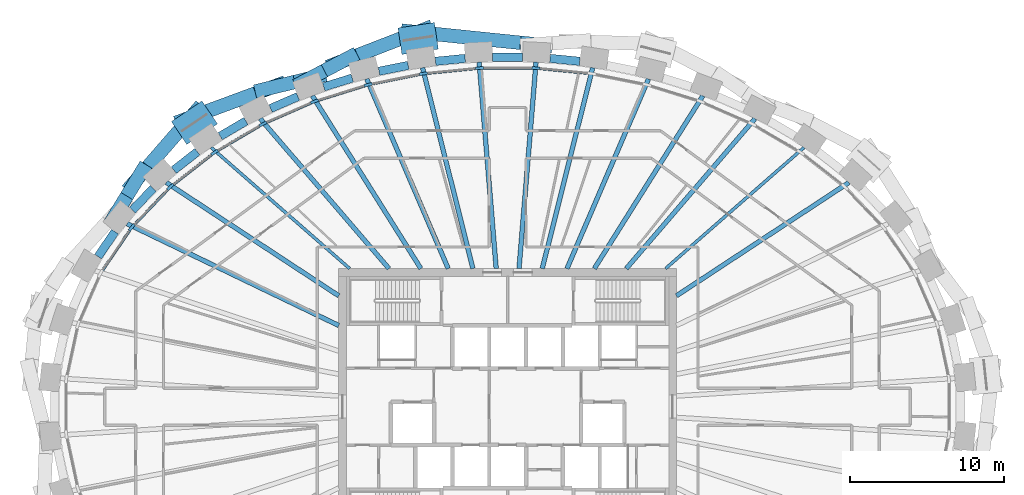
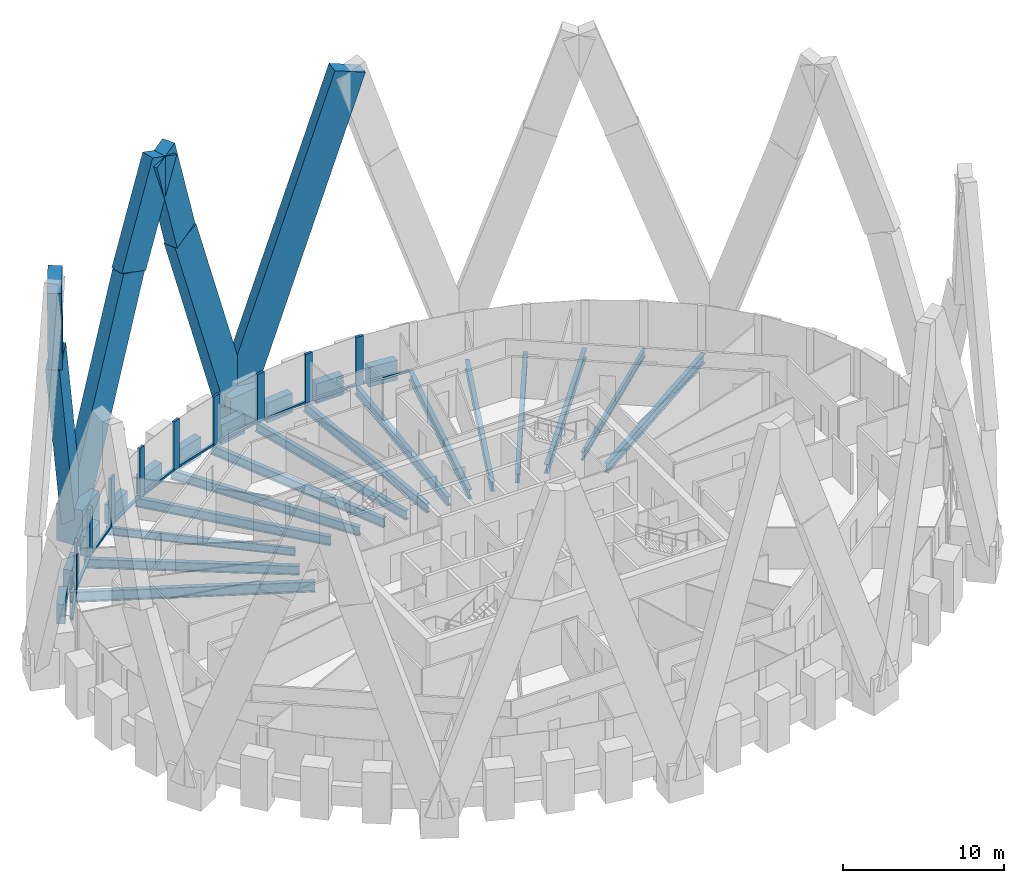
# One storey, part 4 of 13: 28 members, 25 beams, 1 element without a shape of its own.
"""IFC4 building model written with IfcOpenShell, lengths in metres."""

from ifc_helpers import new_model, si_unit, direction, frame, origin, origin_2d, place, context, subcontext, project, spatial, rectangle, i_section, extrude, source, transform, mapped, material, material_profile, profile_set, type_object, element, aggregate, save


model = new_model("IFC4")

# Units and contexts
model_context = context("Model", 3, precision=1e-05, world=origin(), true_north=direction((0.0, 1.0)))
body_context = subcontext(model_context, "Body", "Model", "MODEL_VIEW")
ifc_project = project(units=[si_unit("LENGTHUNIT", "METRE"), si_unit("AREAUNIT", "SQUARE_METRE"), si_unit("VOLUMEUNIT", "CUBIC_METRE"), si_unit("PLANEANGLEUNIT", "RADIAN"), si_unit("MASSUNIT", "GRAM", prefix="KILO")], contexts=[model_context])

# Site, building, storey
site_placement = place(None, origin())
site = spatial("IfcSite", under=ifc_project, at=site_placement, CompositionType="ELEMENT")
building_placement = place(site_placement, origin())
building = spatial("IfcBuilding", under=site, at=building_placement, Name="Embergate Tower", CompositionType="ELEMENT")
storey_placement = place(building_placement, frame((0.0, 0.0, 316.89990234375)))
storey = spatial("IfcBuildingStorey", under=building, at=storey_placement, Name="L74", CompositionType="ELEMENT", Elevation=316.89990234375)

# Beams
ifc_material_1 = material(Name="Concrete C50", Category="concrete")
ifc_material_profile_1 = material_profile(ifc_material_1, rectangle(XDim=0.550048828125, YDim=1.5, at=origin_2d()), Name="RC 550x1500")
ifc_profile_set_1 = profile_set([ifc_material_profile_1], Name="Concrete C50")
beam_type_1 = type_object("IfcBeamType", Name="Spandrel beam RC 550x1500 C50", PredefinedType="BEAM", material=ifc_profile_set_1)
shared_shape_1 = source(origin(), body_context, "Body", "SweptSolid", [
    extrude(rectangle(XDim=0.550048828125, YDim=1.5, at=origin_2d()), origin(), (0.0, 0.0, 1.0), 1.960205078125),
])
beam_1_placement = place(storey_placement, frame((-25.573974609375, 11.404052734375, 0.0), z_axis=(-0.562207817231, -0.826995991674, 0.0), x_axis=(0.826995991674, -0.562207817231, 0.0)))
element("IfcBeam", 1, at=beam_1_placement, inside=storey, type_object=beam_type_1, Name="SPN-L74-18", PredefinedType="BEAM", context=body_context, shape_type="MappedRepresentation", body=[
    mapped(shared_shape_1, transform((0.0, 0.0, 0.0))),
])
shared_shape_2 = source(origin(), body_context, "Body", "SweptSolid", [
    extrude(rectangle(XDim=0.550048828125, YDim=1.5, at=origin_2d()), origin(), (0.0, 0.0, 1.0), 1.955078125),
])
beam_2_placement = place(storey_placement, frame((-23.093017578125, 14.218017578125, 0.0), z_axis=(-0.690558902138, -0.723276159346, 0.0), x_axis=(0.723276159346, -0.690558902138, 0.0)))
element("IfcBeam", 2, at=beam_2_placement, inside=storey, type_object=beam_type_1, Name="SPN-L74-17", PredefinedType="BEAM", context=body_context, shape_type="MappedRepresentation", body=[
    mapped(shared_shape_2, transform((0.0, 0.0, 0.0))),
])
shared_shape_3 = source(origin(), body_context, "Body", "SweptSolid", [
    extrude(rectangle(XDim=0.550048828125, YDim=1.5, at=origin_2d()), origin(), (0.0, 0.0, 1.0), 1.94873046875),
])
beam_3_placement = place(storey_placement, frame((-20.2099609375, 16.611083984375, 0.0), z_axis=(-0.78830540841, -0.615284148236, 0.0), x_axis=(0.615284148236, -0.78830540841, 0.0)))
element("IfcBeam", 3, at=beam_3_placement, inside=storey, type_object=beam_type_1, Name="SPN-L74-16", PredefinedType="BEAM", context=body_context, shape_type="MappedRepresentation", body=[
    mapped(shared_shape_3, transform((0.0, 0.0, 0.0))),
])
shared_shape_4 = source(origin(), body_context, "Body", "SweptSolid", [
    extrude(rectangle(XDim=0.550048828125, YDim=1.5, at=origin_2d()), origin(), (0.0, 0.0, 1.0), 1.944580078125),
])
beam_4_placement = place(storey_placement, frame((-17.044921875, 18.60888671875, 0.0), z_axis=(-0.861947125599, -0.506998178174, 0.0), x_axis=(0.506998178174, -0.861947125599, 0.0)))
element("IfcBeam", 4, at=beam_4_placement, inside=storey, type_object=beam_type_1, Name="SPN-L74-15", PredefinedType="BEAM", context=body_context, shape_type="MappedRepresentation", body=[
    mapped(shared_shape_4, transform((0.0, 0.0, 0.0))),
])
shared_shape_5 = source(origin(), body_context, "Body", "SweptSolid", [
    extrude(rectangle(XDim=0.550048828125, YDim=1.5, at=origin_2d()), origin(), (0.0, 0.0, 1.0), 1.943603515625),
])
beam_5_placement = place(storey_placement, frame((-13.660888671875, 20.205078125, 0.0), z_axis=(-0.916367666651, -0.400337731818, 0.0), x_axis=(0.400337731818, -0.916367666651, 0.0)))
element("IfcBeam", 5, at=beam_5_placement, inside=storey, type_object=beam_type_1, Name="SPN-L74-14", PredefinedType="BEAM", context=body_context, shape_type="MappedRepresentation", body=[
    mapped(shared_shape_5, transform((0.0, 0.0, 0.0))),
])
shared_shape_6 = source(origin(), body_context, "Body", "SweptSolid", [
    extrude(rectangle(XDim=0.550048828125, YDim=1.5, at=origin_2d()), origin(), (0.0, 0.0, 1.0), 1.940673828125),
])
beam_6_placement = place(storey_placement, frame((-10.1220703125, 21.410888671875, 0.0), z_axis=(-0.954797285525, -0.297257705625, 0.0), x_axis=(0.297257705625, -0.954797285525, 0.0)))
element("IfcBeam", 6, at=beam_6_placement, inside=storey, type_object=beam_type_1, Name="SPN-L74-13", PredefinedType="BEAM", context=body_context, shape_type="MappedRepresentation", body=[
    mapped(shared_shape_6, transform((0.0, 0.0, 0.0))),
])
shared_shape_7 = source(origin(), body_context, "Body", "SweptSolid", [
    extrude(rectangle(XDim=0.550048828125, YDim=1.5, at=origin_2d()), origin(), (0.0, 0.0, 1.0), 1.93994140625),
])
for number, where, z_axis, x_axis, name in (
    (7, (0.969970703125, 22.781005859375, 0.0), (-1.0, 0.0, 0.0), (0.0, -1.0, 0.0), "SPN-L74-10"),
    (8, (-6.47607421875, 22.238037109375, 0.0), (-0.980410889527, -0.1969631633, 0.0), (0.1969631633, -0.980410889527, 0.0), "SPN-L74-12"),
):
    element("IfcBeam", number, at=place(storey_placement, frame(where, z_axis=z_axis, x_axis=x_axis)), inside=storey, type_object=beam_type_1, Name=name, PredefinedType="BEAM", context=body_context, shape_type="MappedRepresentation", body=[
        mapped(shared_shape_7, transform((0.0, 0.0, 0.0))),
    ])
shared_shape_8 = source(origin(), body_context, "Body", "SweptSolid", [
    extrude(rectangle(XDim=0.550048828125, YDim=1.5, at=origin_2d()), origin(), (0.0, 0.0, 1.0), 1.938232421875),
])
for number, where, z_axis, x_axis, name in (
    (9, (4.696044921875, 22.5029296875, 0.0), (-0.995174653714, 0.098119358973, 0.0), (-0.098119358973, -0.995174653714, 0.0), "SPN-L74-09"),
    (10, (-2.76708984375, 22.693115234375, 0.0), (-0.995174653714, -0.098119358973, 0.0), (0.098119358973, -0.995174653714, 0.0), "SPN-L74-11"),
):
    element("IfcBeam", number, at=place(storey_placement, frame(where, z_axis=z_axis, x_axis=x_axis)), inside=storey, type_object=beam_type_1, Name=name, PredefinedType="BEAM", context=body_context, shape_type="MappedRepresentation", body=[
        mapped(shared_shape_8, transform((0.0, 0.0, 0.0))),
    ])
ifc_material_2 = material(Name="Steel Q355B", Category="steel")
ifc_material_profile_2 = material_profile(ifc_material_2, i_section(OverallWidth=0.300048828125, OverallDepth=0.800048828125, WebThickness=0.013916015625, FlangeThickness=0.02587890625, FilletRadius=0.028076171875, at=origin_2d()), Name="HN 800x300x14x26")
ifc_profile_set_2 = profile_set([ifc_material_profile_2], Name="Steel Q355 grade B")
beam_type_2 = type_object("IfcBeamType", Name="Radial girder HN 800x300x14x26", PredefinedType="BEAM", material=ifc_profile_set_2)
shared_shape_9 = source(origin(), body_context, "Body", "SweptSolid", [
    extrude(i_section(OverallWidth=0.300048828125, OverallDepth=0.800048828125, WebThickness=0.013916015625, FlangeThickness=0.02587890625, FilletRadius=0.028076171875, at=origin_2d()), origin(), (0.0, 0.0, 1.0), 15.302734375),
])
beam_7_placement = place(storey_placement, frame((-24.7900390625, 11.926025390625, -0.599853515625), z_axis=(0.901145046511, -0.433517710305, 0.0), x_axis=(0.433517710305, 0.901145046511, 0.0)))
element("IfcBeam", 11, at=beam_7_placement, inside=storey, type_object=beam_type_2, Name="GIR-L74-18", PredefinedType="BEAM", context=body_context, shape_type="MappedRepresentation", body=[
    mapped(shared_shape_9, transform((0.0, 0.0, 0.0))),
])
ifc_material_profile_3 = material_profile(ifc_material_2, i_section(OverallWidth=0.300048828125, OverallDepth=0.699951171875, WebThickness=0.012939453125, FlangeThickness=0.02392578125, FilletRadius=0.01806640625, at=origin_2d()), Name="HN 700x300x13x24")
ifc_profile_set_3 = profile_set([ifc_material_profile_3], Name="Steel Q355 grade B")
beam_type_3 = type_object("IfcBeamType", Name="Radial girder HN 700x300x13x24", PredefinedType="BEAM", material=ifc_profile_set_3)
shared_shape_10 = source(origin(), body_context, "Body", "SweptSolid", [
    extrude(i_section(OverallWidth=0.300048828125, OverallDepth=0.699951171875, WebThickness=0.012939453125, FlangeThickness=0.02392578125, FilletRadius=0.01806640625, at=origin_2d()), origin(), (0.0, 0.0, 1.0), 13.439453125),
])
for number, where, z_axis, x_axis, name in (
    (12, (22.23193359375, 14.60693359375, -0.5498046875), (-0.835743114623, -0.549120611851, 0.0), (0.549120611851, -0.835743114623, 0.0), "GIR-L74-04"),
    (13, (-22.23193359375, 14.60693359375, -0.5498046875), (0.835743114623, -0.549120611851, 0.0), (0.549120611851, 0.835743114623, 0.0), "GIR-L74-17"),
):
    element("IfcBeam", number, at=place(storey_placement, frame(where, z_axis=z_axis, x_axis=x_axis)), inside=storey, type_object=beam_type_3, Name=name, PredefinedType="BEAM", context=body_context, shape_type="MappedRepresentation", body=[
        mapped(shared_shape_10, transform((0.0, 0.0, 0.0))),
    ])
ifc_material_profile_4 = material_profile(ifc_material_2, i_section(OverallWidth=0.199951171875, OverallDepth=0.60009765625, WebThickness=0.010986328125, FlangeThickness=0.01708984375, FilletRadius=0.012939453125, at=origin_2d()), Name="HN 600x200x11x17")
ifc_profile_set_4 = profile_set([ifc_material_profile_4], Name="Steel Q355 grade B")
beam_type_4 = type_object("IfcBeamType", Name="Radial girder HN 600x200x11x17", PredefinedType="BEAM", material=ifc_profile_set_4)
shared_shape_11 = source(origin(), body_context, "Body", "SweptSolid", [
    extrude(i_section(OverallWidth=0.199951171875, OverallDepth=0.60009765625, WebThickness=0.010986328125, FlangeThickness=0.01708984375, FilletRadius=0.012939453125, at=origin_2d()), origin(), (0.0, 0.0, 1.0), 11.982421875),
])
for number, where, z_axis, x_axis, name in (
    (14, (19.31103515625, 16.887939453125, -0.5), (-0.752765986621, -0.65828821149, 0.0), (0.65828821149, -0.752765986621, 0.0), "GIR-L74-05"),
    (15, (-19.31103515625, 16.887939453125, -0.5), (0.752765986621, -0.65828821149, 0.0), (0.65828821149, 0.752765986621, 0.0), "GIR-L74-16"),
):
    element("IfcBeam", number, at=place(storey_placement, frame(where, z_axis=z_axis, x_axis=x_axis)), inside=storey, type_object=beam_type_4, Name=name, PredefinedType="BEAM", context=body_context, shape_type="MappedRepresentation", body=[
        mapped(shared_shape_11, transform((0.0, 0.0, 0.0))),
    ])
shared_shape_12 = source(origin(), body_context, "Body", "SweptSolid", [
    extrude(i_section(OverallWidth=0.300048828125, OverallDepth=0.699951171875, WebThickness=0.012939453125, FlangeThickness=0.02392578125, FilletRadius=0.01806640625, at=origin_2d()), origin(), (0.0, 0.0, 1.0), 12.873779296875),
])
for number, where, z_axis, x_axis, name in (
    (16, (16.115966796875, 18.76708984375, -0.5498046875), (-0.65147047054, -0.758673991919, 0.0), (0.758673991919, -0.65147047054, 0.0), "GIR-L74-06"),
    (17, (-16.115966796875, 18.76708984375, -0.5498046875), (0.65147047054, -0.758673991919, 0.0), (0.758673991919, 0.65147047054, 0.0), "GIR-L74-15"),
):
    element("IfcBeam", number, at=place(storey_placement, frame(where, z_axis=z_axis, x_axis=x_axis)), inside=storey, type_object=beam_type_3, Name=name, PredefinedType="BEAM", context=body_context, shape_type="MappedRepresentation", body=[
        mapped(shared_shape_12, transform((0.0, 0.0, 0.0))),
    ])
shared_shape_13 = source(origin(), body_context, "Body", "SweptSolid", [
    extrude(i_section(OverallWidth=0.300048828125, OverallDepth=0.699951171875, WebThickness=0.012939453125, FlangeThickness=0.02392578125, FilletRadius=0.01806640625, at=origin_2d()), origin(), (0.0, 0.0, 1.0), 13.287109375),
])
for number, where, z_axis, x_axis, name in (
    (18, (12.718994140625, 20.251953125, -0.5498046875), (-0.531860684771, -0.846831867607, 0.0), (0.846831867607, -0.531860684771, 0.0), "GIR-L74-07"),
    (19, (-12.718994140625, 20.251953125, -0.5498046875), (0.531860684771, -0.846831867607, 0.0), (0.846831867607, 0.531860684771, 0.0), "GIR-L74-14"),
):
    element("IfcBeam", number, at=place(storey_placement, frame(where, z_axis=z_axis, x_axis=x_axis)), inside=storey, type_object=beam_type_3, Name=name, PredefinedType="BEAM", context=body_context, shape_type="MappedRepresentation", body=[
        mapped(shared_shape_13, transform((0.0, 0.0, 0.0))),
    ])
shared_shape_14 = source(origin(), body_context, "Body", "SweptSolid", [
    extrude(i_section(OverallWidth=0.300048828125, OverallDepth=0.699951171875, WebThickness=0.012939453125, FlangeThickness=0.02392578125, FilletRadius=0.01806640625, at=origin_2d()), origin(), (0.0, 0.0, 1.0), 13.44677734375),
])
for number, where, z_axis, x_axis, name in (
    (20, (9.178955078125, 21.35400390625, -0.5498046875), (-0.39489198658, -0.918727554248, 0.0), (0.918727554248, -0.39489198658, 0.0), "GIR-L74-08"),
    (21, (-9.178955078125, 21.35400390625, -0.5498046875), (0.39489198658, -0.918727554248, 0.0), (0.918727554248, 0.39489198658, 0.0), "GIR-L74-13"),
):
    element("IfcBeam", number, at=place(storey_placement, frame(where, z_axis=z_axis, x_axis=x_axis)), inside=storey, type_object=beam_type_3, Name=name, PredefinedType="BEAM", context=body_context, shape_type="MappedRepresentation", body=[
        mapped(shared_shape_14, transform((0.0, 0.0, 0.0))),
    ])
shared_shape_15 = source(origin(), body_context, "Body", "SweptSolid", [
    extrude(i_section(OverallWidth=0.300048828125, OverallDepth=0.699951171875, WebThickness=0.012939453125, FlangeThickness=0.02392578125, FilletRadius=0.01806640625, at=origin_2d()), origin(), (0.0, 0.0, 1.0), 13.48876953125),
])
for number, where, z_axis, x_axis, name in (
    (22, (5.54296875, 22.0830078125, -0.5498046875), (-0.243455392771, -0.969912094847, 0.0), (0.969912094847, -0.243455392771, 0.0), "GIR-L74-09"),
    (23, (-5.54296875, 22.0830078125, -0.5498046875), (0.243455392771, -0.969912094847, 0.0), (0.969912094847, 0.243455392771, 0.0), "GIR-L74-12"),
):
    element("IfcBeam", number, at=place(storey_placement, frame(where, z_axis=z_axis, x_axis=x_axis)), inside=storey, type_object=beam_type_3, Name=name, PredefinedType="BEAM", context=body_context, shape_type="MappedRepresentation", body=[
        mapped(shared_shape_15, transform((0.0, 0.0, 0.0))),
    ])
shared_shape_16 = source(origin(), body_context, "Body", "SweptSolid", [
    extrude(i_section(OverallWidth=0.300048828125, OverallDepth=0.699951171875, WebThickness=0.012939453125, FlangeThickness=0.02392578125, FilletRadius=0.01806640625, at=origin_2d()), origin(), (0.0, 0.0, 1.0), 13.49169921875),
])
for number, where, z_axis, x_axis, name in (
    (24, (1.85400390625, 22.446044921875, -0.5498046875), (-0.082280203241, -0.996609235435, 0.0), (0.996609235435, -0.082280203241, 0.0), "GIR-L74-10"),
    (25, (-1.85400390625, 22.446044921875, -0.5498046875), (0.082280203241, -0.996609235435, 0.0), (0.996609235435, 0.082280203241, 0.0), "GIR-L74-11"),
):
    element("IfcBeam", number, at=place(storey_placement, frame(where, z_axis=z_axis, x_axis=x_axis)), inside=storey, type_object=beam_type_3, Name=name, PredefinedType="BEAM", context=body_context, shape_type="MappedRepresentation", body=[
        mapped(shared_shape_16, transform((0.0, 0.0, 0.0))),
    ])

# Members
ifc_material_3 = material(Name="Concrete C70", Category="concrete")
ifc_material_profile_5 = material_profile(ifc_material_3, rectangle(XDim=1.800048828125, YDim=2.39990234375, at=origin_2d()), Name="RC 1800x2400")
ifc_profile_set_5 = profile_set([ifc_material_profile_5], Name="Concrete C70")
member_type_1 = type_object("IfcMemberType", Name="Lattice node block RC 1800x2400", PredefinedType="POST", material=ifc_profile_set_5)
shared_shape_17 = source(origin(), body_context, "Body", "SweptSolid", [
    extrude(rectangle(XDim=1.800048828125, YDim=2.39990234375, at=origin_2d()), origin(), (0.0, 0.0, 1.0), 2.800048828125),
])
member_1_placement = place(storey_placement, frame((-20.403076171875, 18.5029296875, -1.39990234375), z_axis=(0.0, 0.0, 1.0), x_axis=(-0.560393279442, 0.828226643109, 0.0)))
element("IfcMember", 26, at=member_1_placement, inside=storey, type_object=member_type_1, Name="NOD-L74-16", PredefinedType="POST", context=body_context, shape_type="MappedRepresentation", body=[
    mapped(shared_shape_17, transform((0.0, 0.0, 0.0))),
])
ifc_material_profile_6 = material_profile(ifc_material_3, rectangle(XDim=1.75, YDim=2.39990234375, at=origin_2d()), Name="RC 1750x2400")
ifc_profile_set_6 = profile_set([ifc_material_profile_6], Name="Concrete C70")
member_type_2 = type_object("IfcMemberType", Name="Lattice node block RC 1750x2400", PredefinedType="POST", material=ifc_profile_set_6)
shared_shape_18 = source(origin(), body_context, "Body", "SweptSolid", [
    extrude(rectangle(XDim=1.75, YDim=2.39990234375, at=origin_2d()), origin(), (0.0, 0.0, 1.0), 2.800048828125),
])
member_2_placement = place(storey_placement, frame((-5.826904296875, 23.987060546875, -1.39990234375), z_axis=(0.0, 0.0, 1.0), x_axis=(-0.146929011949, 0.989147039346, 0.0)))
element("IfcMember", 27, at=member_2_placement, inside=storey, type_object=member_type_2, Name="NOD-L74-12", PredefinedType="POST", context=body_context, shape_type="MappedRepresentation", body=[
    mapped(shared_shape_18, transform((0.0, 0.0, 0.0))),
])
ifc_material_profile_7 = material_profile(ifc_material_3, rectangle(XDim=0.89990234375, YDim=2.199951171875, at=origin_2d()), Name="RC 900x2200")
ifc_profile_set_7 = profile_set([ifc_material_profile_7], Name="Concrete C70")
member_type_3 = type_object("IfcMemberType", Name="Lattice diagonal terracotta-faced RC 900x2200", PredefinedType="BRACE", material=ifc_profile_set_7)
shared_shape_19 = source(origin(), body_context, "Body", "SweptSolid", [
    extrude(rectangle(XDim=0.89990234375, YDim=2.199951171875, at=origin_2d()), origin(), (0.0, 0.0, 1.0), 24.380615234375),
])
member_3_placement = place(storey_placement, frame((-5.887939453125, 24.39794921875, 0.0), z_axis=(0.318156150417, -0.032564641859, 0.947478869449), x_axis=(0.101822298437, 0.994802603304, 0.0)))
element("IfcMember", 28, at=member_3_placement, inside=storey, type_object=member_type_3, Name="BRC-L74-12-10-S00", PredefinedType="BRACE", context=body_context, shape_type="MappedRepresentation", body=[
    mapped(shared_shape_19, transform((0.0, 0.0, 0.0))),
])
shared_shape_20 = source(origin(), body_context, "Body", "SweptSolid", [
    extrude(rectangle(XDim=0.89990234375, YDim=2.199951171875, at=origin_2d()), origin(), (0.0, 0.0, 1.0), 16.4501953125),
])
member_4_placement = place(storey_placement, frame((-5.887939453125, 24.39794921875, 0.0), z_axis=(-0.29593403377, -0.114470371237, 0.948324618348), x_axis=(0.360761833761, -0.93265797552, 0.0)))
element("IfcMember", 29, at=member_4_placement, inside=storey, type_object=member_type_3, Name="BRC-L74-12-14-S00", PredefinedType="BRACE", context=body_context, shape_type="MappedRepresentation", body=[
    mapped(shared_shape_20, transform((0.0, 0.0, 0.0))),
])
shared_shape_21 = source(origin(), body_context, "Body", "SweptSolid", [
    extrude(rectangle(XDim=0.89990234375, YDim=2.199951171875, at=origin_2d()), origin(), (0.0, 0.0, 1.0), 7.86962890625),
])
member_5_placement = place(storey_placement, frame((-10.756103515625, 22.514892578125, 15.60009765625), z_axis=(-0.267602267003, -0.141929094776, 0.953018970824), x_axis=(0.46855107516, -0.88343640969, 0.0)))
element("IfcMember", 30, at=member_5_placement, inside=storey, type_object=member_type_3, Name="BRC-L74-12-14-S01", PredefinedType="BRACE", context=body_context, shape_type="MappedRepresentation", body=[
    mapped(shared_shape_21, transform((0.0, 0.0, 0.0))),
])
shared_shape_22 = source(origin(), body_context, "Body", "SweptSolid", [
    extrude(rectangle(XDim=0.89990234375, YDim=2.199951171875, at=origin_2d()), origin(), (0.0, 0.0, 1.0), 16.55517578125),
])
member_6_placement = place(storey_placement, frame((-20.64111328125, 18.85400390625, 0.0), z_axis=(0.313979099635, 0.116088651183, 0.942305974755), x_axis=(-0.346789166619, 0.937943108038, 0.0)))
element("IfcMember", 31, at=member_6_placement, inside=storey, type_object=member_type_3, Name="BRC-L74-16-14-S00", PredefinedType="BRACE", context=body_context, shape_type="MappedRepresentation", body=[
    mapped(shared_shape_22, transform((0.0, 0.0, 0.0))),
])
shared_shape_23 = source(origin(), body_context, "Body", "SweptSolid", [
    extrude(rectangle(XDim=0.89990234375, YDim=2.199951171875, at=origin_2d()), origin(), (0.0, 0.0, 1.0), 7.9560546875),
])
member_7_placement = place(storey_placement, frame((-15.443115234375, 20.77587890625, 15.60009765625), z_axis=(0.324413872691, 0.078188284867, 0.942678222574), x_axis=(-0.23430492989, 0.972163154943, 0.0)))
element("IfcMember", 32, at=member_7_placement, inside=storey, type_object=member_type_3, Name="BRC-L74-16-14-S01", PredefinedType="BRACE", context=body_context, shape_type="MappedRepresentation", body=[
    mapped(shared_shape_23, transform((0.0, 0.0, 0.0))),
])
shared_shape_24 = source(origin(), body_context, "Body", "SweptSolid", [
    extrude(rectangle(XDim=0.89990234375, YDim=2.199951171875, at=origin_2d()), origin(), (0.0, 0.0, 1.0), 16.466552734375),
])
member_8_placement = place(storey_placement, frame((-20.64111328125, 18.85400390625, 0.0), z_axis=(-0.21011900841, -0.241521214154, 0.947374005036), x_axis=(0.754449958764, -0.656357570019, 0.0)))
element("IfcMember", 33, at=member_8_placement, inside=storey, type_object=member_type_3, Name="BRC-L74-16-18-S00", PredefinedType="BRACE", context=body_context, shape_type="MappedRepresentation", body=[
    mapped(shared_shape_24, transform((0.0, 0.0, 0.0))),
])
shared_shape_25 = source(origin(), body_context, "Body", "SweptSolid", [
    extrude(rectangle(XDim=0.89990234375, YDim=2.199951171875, at=origin_2d()), origin(), (0.0, 0.0, 1.0), 7.874267578125),
])
member_9_placement = place(storey_placement, frame((-24.10107421875, 14.876953125, 15.60009765625), z_axis=(-0.158621331121, -0.260069531947, 0.952472105558), x_axis=(0.853734377662, -0.520708759671, 0.0)))
element("IfcMember", 34, at=member_9_placement, inside=storey, type_object=member_type_3, Name="BRC-L74-16-18-S01", PredefinedType="BRACE", context=body_context, shape_type="MappedRepresentation", body=[
    mapped(shared_shape_25, transform((0.0, 0.0, 0.0))),
])

# Curtain wall, members
ifc_material_4 = material(Name="Aluminium and glass", Category="aluminium")
curtain_wall_type = type_object("IfcCurtainWallType", Name="Recessed office glazing", PredefinedType="NOTDEFINED", material=ifc_material_4)
curtain_wall_placement = place(storey_placement, origin())
curtain_wall = element("IfcCurtainWall", 35, at=curtain_wall_placement, inside=storey, type_object=curtain_wall_type, Name="Recessed office glazing ring", ObjectType="RECESSED OFFICE GLAZING", PredefinedType="USERDEFINED")
ifc_material_5 = material(Name="Aluminium, thermally broken", Category="aluminium")
ifc_material_profile_8 = material_profile(ifc_material_5, rectangle(XDim=0.179931640625, YDim=0.52001953125, at=origin_2d()), Name="AL 520x180")
ifc_profile_set_8 = profile_set([ifc_material_profile_8], Name="Aluminium, thermally broken")
member_type_4 = type_object("IfcMemberType", Name="Office mullion", PredefinedType="MULLION", material=ifc_profile_set_8)
shared_shape_26 = source(origin(), body_context, "Body", "SweptSolid", [
    extrude(rectangle(XDim=0.179931640625, YDim=0.52001953125, at=origin_2d()), origin(), (0.0, 0.0, 1.0), 3.7001953125),
])
member_10_placement = place(storey_placement, frame((1.834716796875, 22.05615234375, 0.0), z_axis=(0.0, 0.0, 1.0), x_axis=(-0.048971796621, -0.998800161762, 0.0)))
member_10 = element("IfcMember", 36, at=member_10_placement, type_object=member_type_4, Name="CW mullion 11", PredefinedType="MULLION", context=body_context, shape_type="MappedRepresentation", body=[
    mapped(shared_shape_26, transform((0.0, 0.0, 0.0))),
])
member_11_placement = place(storey_placement, frame((-1.834716796875, 22.05615234375, 0.0), z_axis=(0.0, 0.0, 1.0), x_axis=(0.048971796621, -0.998800161762, 0.0)))
member_11 = element("IfcMember", 37, at=member_11_placement, type_object=member_type_4, Name="CW mullion 12", PredefinedType="MULLION", context=body_context, shape_type="MappedRepresentation", body=[
    mapped(shared_shape_26, transform((0.0, 0.0, 0.0))),
])
member_12_placement = place(storey_placement, frame((-5.486328125, 21.697265625, 0.0), z_axis=(0.0, 0.0, 1.0), x_axis=(0.147410656556, -0.989075375456, 0.0)))
member_12 = element("IfcMember", 38, at=member_12_placement, type_object=member_type_4, Name="CW mullion 13", PredefinedType="MULLION", context=body_context, shape_type="MappedRepresentation", body=[
    mapped(shared_shape_26, transform((0.0, 0.0, 0.0))),
])
member_13_placement = place(storey_placement, frame((-9.082763671875, 20.97607421875, 0.0), z_axis=(0.0, 0.0, 1.0), x_axis=(0.247310190257, -0.968936360034, 0.0)))
member_13 = element("IfcMember", 39, at=member_13_placement, type_object=member_type_4, Name="CW mullion 14", PredefinedType="MULLION", context=body_context, shape_type="MappedRepresentation", body=[
    mapped(shared_shape_26, transform((0.0, 0.0, 0.0))),
])
member_14_placement = place(storey_placement, frame((-12.582763671875, 19.885986328125, 0.0), z_axis=(0.0, 0.0, 1.0), x_axis=(0.349501047589, -0.936935973124, 0.0)))
member_14 = element("IfcMember", 40, at=member_14_placement, type_object=member_type_4, Name="CW mullion 15", PredefinedType="MULLION", context=body_context, shape_type="MappedRepresentation", body=[
    mapped(shared_shape_26, transform((0.0, 0.0, 0.0))),
])
member_15_placement = place(storey_placement, frame((-15.9384765625, 18.418701171875, 0.0), z_axis=(0.0, 0.0, 1.0), x_axis=(0.454506716612, -0.890743310138, 0.0)))
member_15 = element("IfcMember", 41, at=member_15_placement, type_object=member_type_4, Name="CW mullion 16", PredefinedType="MULLION", context=body_context, shape_type="MappedRepresentation", body=[
    mapped(shared_shape_26, transform((0.0, 0.0, 0.0))),
])
member_16_placement = place(storey_placement, frame((-19.092041015625, 16.564697265625, 0.0), z_axis=(0.0, 0.0, 1.0), x_axis=(0.562210401679, -0.82699423471, 0.0)))
member_16 = element("IfcMember", 42, at=member_16_placement, type_object=member_type_4, Name="CW mullion 17", PredefinedType="MULLION", context=body_context, shape_type="MappedRepresentation", body=[
    mapped(shared_shape_26, transform((0.0, 0.0, 0.0))),
])
member_17_placement = place(storey_placement, frame((-21.97119140625, 14.3173828125, 0.0), z_axis=(0.0, 0.0, 1.0), x_axis=(0.671217477801, -0.741260478843, 0.0)))
member_17 = element("IfcMember", 43, at=member_17_placement, type_object=member_type_4, Name="CW mullion 18", PredefinedType="MULLION", context=body_context, shape_type="MappedRepresentation", body=[
    mapped(shared_shape_26, transform((0.0, 0.0, 0.0))),
])
member_18_placement = place(storey_placement, frame((-24.48681640625, 11.6796875, 0.0), z_axis=(0.0, 0.0, 1.0), x_axis=(0.777861596203, -0.628435626897, 0.0)))
member_18 = element("IfcMember", 44, at=member_18_placement, type_object=member_type_4, Name="CW mullion 19", PredefinedType="MULLION", context=body_context, shape_type="MappedRepresentation", body=[
    mapped(shared_shape_26, transform((0.0, 0.0, 0.0))),
])
ifc_material_profile_9 = material_profile(ifc_material_5, rectangle(XDim=0.179931640625, YDim=0.14990234375, at=origin_2d()), Name="AL 150x180")
ifc_profile_set_9 = profile_set([ifc_material_profile_9], Name="Aluminium, thermally broken")
member_type_5 = type_object("IfcMemberType", Name="Office sill transom", PredefinedType="USERDEFINED", material=ifc_profile_set_9)
shared_shape_27 = source(origin(), body_context, "Body", "SweptSolid", [
    extrude(rectangle(XDim=0.179931640625, YDim=0.14990234375, at=origin_2d()), origin(), (0.0, 0.0, 1.0), 3.116455078125),
])
member_19_placement = place(storey_placement, frame((-24.633056640625, 11.464599609375, 0.0751953125), z_axis=(-0.562305735985, -0.826929416141, 0.0), x_axis=(0.826929416141, -0.562305735985, 0.0)))
member_19 = element("IfcMember", 45, at=member_19_placement, type_object=member_type_5, Name="CW transom 19.1", ObjectType="TRANSOM", PredefinedType="USERDEFINED", context=body_context, shape_type="MappedRepresentation", body=[
    mapped(shared_shape_27, transform((0.0, 0.0, 0.0))),
])
shared_shape_28 = source(origin(), body_context, "Body", "SweptSolid", [
    extrude(rectangle(XDim=0.179931640625, YDim=0.14990234375, at=origin_2d()), origin(), (0.0, 0.0, 1.0), 3.125244140625),
])
member_20_placement = place(storey_placement, frame((-22.150634765625, 14.12939453125, 0.0751953125), z_axis=(-0.69011149361, -0.723703065067, 0.0), x_axis=(0.723703065067, -0.69011149361, 0.0)))
member_20 = element("IfcMember", 46, at=member_20_placement, type_object=member_type_5, Name="CW transom 18.1", ObjectType="TRANSOM", PredefinedType="USERDEFINED", context=body_context, shape_type="MappedRepresentation", body=[
    mapped(shared_shape_28, transform((0.0, 0.0, 0.0))),
])
shared_shape_29 = source(origin(), body_context, "Body", "SweptSolid", [
    extrude(rectangle(XDim=0.179931640625, YDim=0.14990234375, at=origin_2d()), origin(), (0.0, 0.0, 1.0), 3.132080078125),
])
member_21_placement = place(storey_placement, frame((-19.297119140625, 16.404541015625, 0.0751953125), z_axis=(-0.788280741955, -0.615315749727, 0.0), x_axis=(0.615315749727, -0.788280741955, 0.0)))
member_21 = element("IfcMember", 47, at=member_21_placement, type_object=member_type_5, Name="CW transom 17.1", ObjectType="TRANSOM", PredefinedType="USERDEFINED", context=body_context, shape_type="MappedRepresentation", body=[
    mapped(shared_shape_29, transform((0.0, 0.0, 0.0))),
])
shared_shape_30 = source(origin(), body_context, "Body", "SweptSolid", [
    extrude(rectangle(XDim=0.179931640625, YDim=0.14990234375, at=origin_2d()), origin(), (0.0, 0.0, 1.0), 3.13818359375),
])
member_22_placement = place(storey_placement, frame((-16.16259765625, 18.286865234375, 0.0751953125), z_axis=(-0.862044187524, -0.506833127129, 0.0), x_axis=(0.506833127129, -0.862044187524, 0.0)))
member_22 = element("IfcMember", 48, at=member_22_placement, type_object=member_type_5, Name="CW transom 16.1", ObjectType="TRANSOM", PredefinedType="USERDEFINED", context=body_context, shape_type="MappedRepresentation", body=[
    mapped(shared_shape_30, transform((0.0, 0.0, 0.0))),
])
shared_shape_31 = source(origin(), body_context, "Body", "SweptSolid", [
    extrude(rectangle(XDim=0.179931640625, YDim=0.14990234375, at=origin_2d()), origin(), (0.0, 0.0, 1.0), 3.142578125),
])
member_23_placement = place(storey_placement, frame((-12.82080078125, 19.78173828125, 0.0751953125), z_axis=(-0.916239332715, -0.400631358217, 0.0), x_axis=(0.400631358217, -0.916239332715, 0.0)))
member_23 = element("IfcMember", 49, at=member_23_placement, type_object=member_type_5, Name="CW transom 15.1", ObjectType="TRANSOM", PredefinedType="USERDEFINED", context=body_context, shape_type="MappedRepresentation", body=[
    mapped(shared_shape_31, transform((0.0, 0.0, 0.0))),
])
shared_shape_32 = source(origin(), body_context, "Body", "SweptSolid", [
    extrude(rectangle(XDim=0.179931640625, YDim=0.14990234375, at=origin_2d()), origin(), (0.0, 0.0, 1.0), 3.145751953125),
])
member_24_placement = place(storey_placement, frame((-9.3310546875, 20.898681640625, 0.0751953125), z_axis=(-0.954775040365, -0.297329148077, 0.0), x_axis=(0.297329148077, -0.954775040365, 0.0)))
member_24 = element("IfcMember", 50, at=member_24_placement, type_object=member_type_5, Name="CW transom 14.1", ObjectType="TRANSOM", PredefinedType="USERDEFINED", context=body_context, shape_type="MappedRepresentation", body=[
    mapped(shared_shape_32, transform((0.0, 0.0, 0.0))),
])
shared_shape_33 = source(origin(), body_context, "Body", "SweptSolid", [
    extrude(rectangle(XDim=0.179931640625, YDim=0.14990234375, at=origin_2d()), origin(), (0.0, 0.0, 1.0), 3.148193359375),
])
member_25_placement = place(storey_placement, frame((-5.7412109375, 21.64599609375, 0.0751953125), z_axis=(-0.980485111411, -0.19659335264, 0.0), x_axis=(0.19659335264, -0.980485111411, 0.0)))
member_25 = element("IfcMember", 51, at=member_25_placement, type_object=member_type_5, Name="CW transom 13.1", ObjectType="TRANSOM", PredefinedType="USERDEFINED", context=body_context, shape_type="MappedRepresentation", body=[
    mapped(shared_shape_33, transform((0.0, 0.0, 0.0))),
])
shared_shape_34 = source(origin(), body_context, "Body", "SweptSolid", [
    extrude(rectangle(XDim=0.179931640625, YDim=0.14990234375, at=origin_2d()), origin(), (0.0, 0.0, 1.0), 3.149169921875),
])
member_26_placement = place(storey_placement, frame((5.2275390625, 21.72265625, 0.0751953125), z_axis=(-0.995202362026, 0.097837920143, 0.0), x_axis=(-0.097837920143, -0.995202362026, 0.0)))
member_26 = element("IfcMember", 52, at=member_26_placement, type_object=member_type_5, Name="CW transom 10.1", ObjectType="TRANSOM", PredefinedType="USERDEFINED", context=body_context, shape_type="MappedRepresentation", body=[
    mapped(shared_shape_34, transform((0.0, 0.0, 0.0))),
])
member_27_placement = place(storey_placement, frame((-2.093505859375, 22.03076171875, 0.0751953125), z_axis=(-0.995202362026, -0.097837920143, 0.0), x_axis=(0.097837920143, -0.995202362026, 0.0)))
member_27 = element("IfcMember", 53, at=member_27_placement, type_object=member_type_5, Name="CW transom 12.1", ObjectType="TRANSOM", PredefinedType="USERDEFINED", context=body_context, shape_type="MappedRepresentation", body=[
    mapped(shared_shape_34, transform((0.0, 0.0, 0.0))),
])
shared_shape_35 = source(origin(), body_context, "Body", "SweptSolid", [
    extrude(rectangle(XDim=0.179931640625, YDim=0.14990234375, at=origin_2d()), origin(), (0.0, 0.0, 1.0), 3.1494140625),
])
member_28_placement = place(storey_placement, frame((1.57470703125, 22.05615234375, 0.0751953125), z_axis=(-1.0, 0.0, 0.0), x_axis=(0.0, -1.0, 0.0)))
member_28 = element("IfcMember", 54, at=member_28_placement, type_object=member_type_5, Name="CW transom 11.1", ObjectType="TRANSOM", PredefinedType="USERDEFINED", context=body_context, shape_type="MappedRepresentation", body=[
    mapped(shared_shape_35, transform((0.0, 0.0, 0.0))),
])
aggregate(curtain_wall, [member_10, member_11, member_12, member_13, member_14, member_15, member_16, member_17, member_18, member_26, member_28, member_27, member_25, member_24, member_23, member_22, member_21, member_20, member_19])

save(model, "model.ifc")
